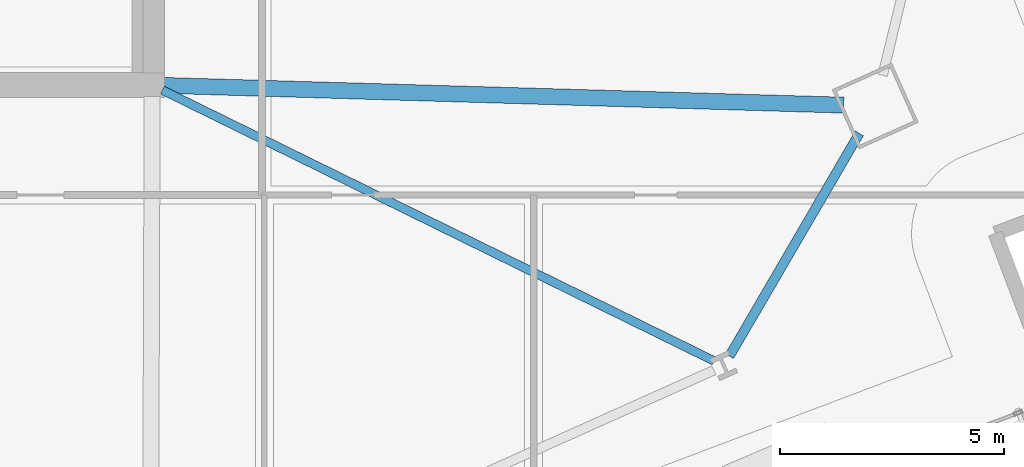
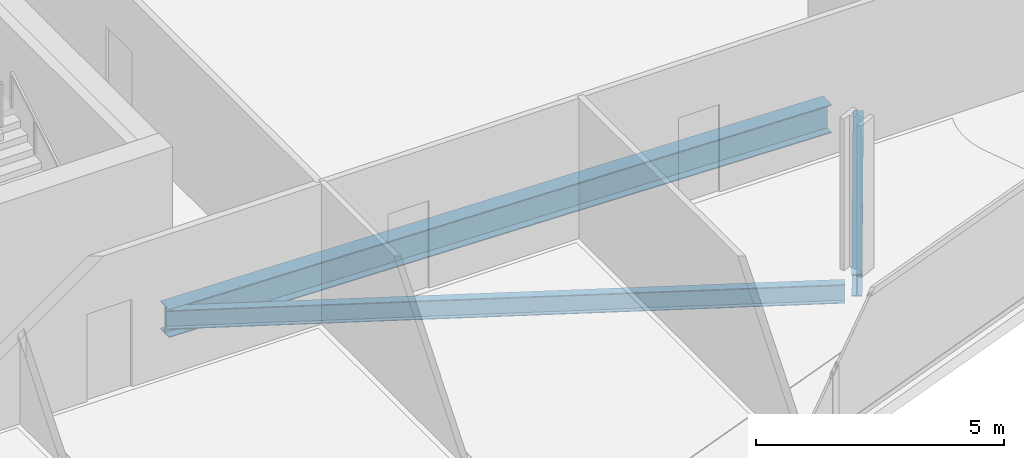
# One storey, part 12 of 37: 3 beams.
"""IFC4 building model written with IfcOpenShell, lengths in metres."""

from ifc_helpers import new_model, si_unit, direction, frame, origin, origin_2d, place, context, subcontext, project, spatial, i_section, extrude, material, material_profile, profile_set, type_object, element, save


model = new_model("IFC4")

# Units and contexts
model_context = context("Model", 3, precision=1e-05, world=origin(), true_north=direction((0.0, 1.0)))
body_context = subcontext(model_context, "Body", "Model", "MODEL_VIEW")
ifc_project = project(units=[si_unit("LENGTHUNIT", "METRE"), si_unit("AREAUNIT", "SQUARE_METRE"), si_unit("VOLUMEUNIT", "CUBIC_METRE"), si_unit("PLANEANGLEUNIT", "RADIAN"), si_unit("MASSUNIT", "GRAM", prefix="KILO")], contexts=[model_context])

# Site, building, storey
site_placement = place(None, origin())
site = spatial("IfcSite", under=ifc_project, at=site_placement, CompositionType="ELEMENT")
building_placement = place(site_placement, origin())
building = spatial("IfcBuilding", under=site, at=building_placement, Name="Haldenkirk Collegiate Tower", CompositionType="ELEMENT")
storey_placement = place(building_placement, frame((0.0, 0.0, 97.949951171875)))
storey = spatial("IfcBuildingStorey", under=building, at=storey_placement, Name="L23", CompositionType="ELEMENT", Elevation=97.949951171875)

# Beams
ifc_material = material(Name="Steel ASTM A992 Grade 50", Category="steel")
ifc_material_profile_1 = material_profile(ifc_material, i_section(OverallWidth=0.35498046875, OverallDepth=0.696044921875, WebThickness=0.015380859375, FlangeThickness=0.02490234375, at=origin_2d()), Name="W27X146")
ifc_profile_set_1 = profile_set([ifc_material_profile_1], Name="Steel ASTM A992 Grade 50")
beam_type_1 = type_object("IfcBeamType", Name="BM-GIRDER-W27X146", PredefinedType="BEAM", material=ifc_profile_set_1)
beam_1_placement = place(storey_placement, frame((60.4072265625, 17.55322265625, -0.64794921875), z_axis=(-0.999579697841, 0.028990130448, 0.0), x_axis=(-0.028990130448, -0.999579697841, 0.0)))
element("IfcBeam", 1, at=beam_1_placement, inside=storey, type_object=beam_type_1, Name="L23 primary floor girder 02", PredefinedType="BEAM", context=body_context, shape_type="SweptSolid", body=[
    extrude(i_section(OverallWidth=0.35498046875, OverallDepth=0.696044921875, WebThickness=0.015380859375, FlangeThickness=0.02490234375, at=origin_2d()), origin(), (0.0, 0.0, 1.0), 15.15869140625),
])
ifc_material_profile_2 = material_profile(ifc_material, i_section(OverallWidth=0.19189453125, OverallDepth=0.462890625, WebThickness=0.010498046875, FlangeThickness=0.017578125, at=origin_2d()), Name="W18X60")
ifc_profile_set_2 = profile_set([ifc_material_profile_2], Name="Steel ASTM A992 Grade 50")
beam_type_2 = type_object("IfcBeamType", Name="BM-JOIST-W18X60", PredefinedType="JOIST", material=ifc_profile_set_2)
beam_2_placement = place(storey_placement, frame((57.517822265625, 11.8544921875, -0.531494140625), z_axis=(-0.897652859595, 0.440703237634, 0.0), x_axis=(-0.440703237634, -0.897652859595, 0.0)))
element("IfcBeam", 2, at=beam_2_placement, inside=storey, type_object=beam_type_2, Name="L23 composite floor joist 07", PredefinedType="JOIST", context=body_context, shape_type="SweptSolid", body=[
    extrude(i_section(OverallWidth=0.19189453125, OverallDepth=0.462890625, WebThickness=0.010498046875, FlangeThickness=0.017578125, at=origin_2d()), origin(), (0.0, 0.0, 1.0), 13.68994140625),
])
ifc_material_profile_3 = material_profile(ifc_material, i_section(OverallWidth=0.2119140625, OverallDepth=0.5439453125, WebThickness=0.01318359375, FlangeThickness=0.021240234375, at=origin_2d()), Name="W21X83")
ifc_profile_set_3 = profile_set([ifc_material_profile_3], Name="Steel ASTM A992 Grade 50")
beam_type_3 = type_object("IfcBeamType", Name="BM-SPANDREL-W21X83", PredefinedType="SPANDREL", material=ifc_profile_set_3)
beam_3_placement = place(storey_placement, frame((57.86181640625, 11.958251953125, -0.572021484375), z_axis=(0.503667660107, 0.863897498643, 0.0), x_axis=(-0.863897498643, 0.503667660107, 0.0)))
element("IfcBeam", 3, at=beam_3_placement, inside=storey, type_object=beam_type_3, Name="L23 perimeter spandrel beam 04", PredefinedType="SPANDREL", context=body_context, shape_type="SweptSolid", body=[
    extrude(i_section(OverallWidth=0.2119140625, OverallDepth=0.5439453125, WebThickness=0.01318359375, FlangeThickness=0.021240234375, at=origin_2d()), origin(), (0.0, 0.0, 1.0), 5.747802734375),
])

save(model, "model.ifc")
